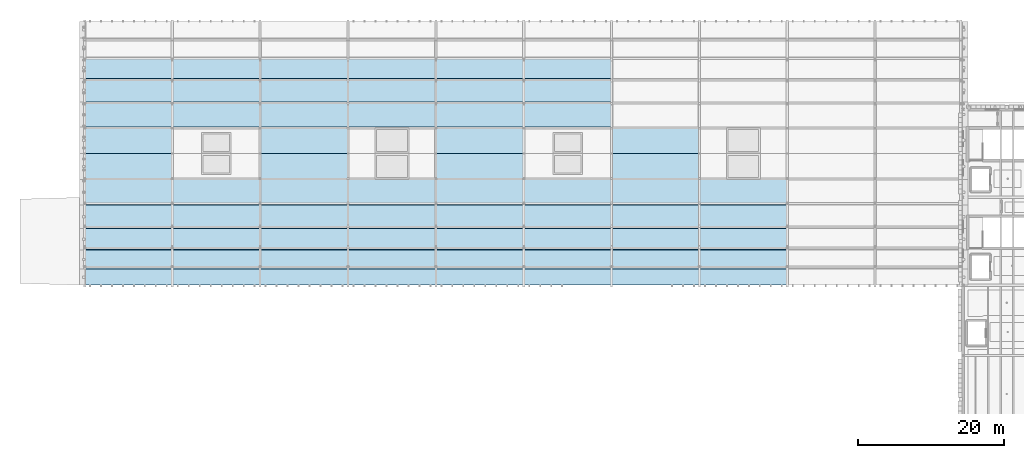
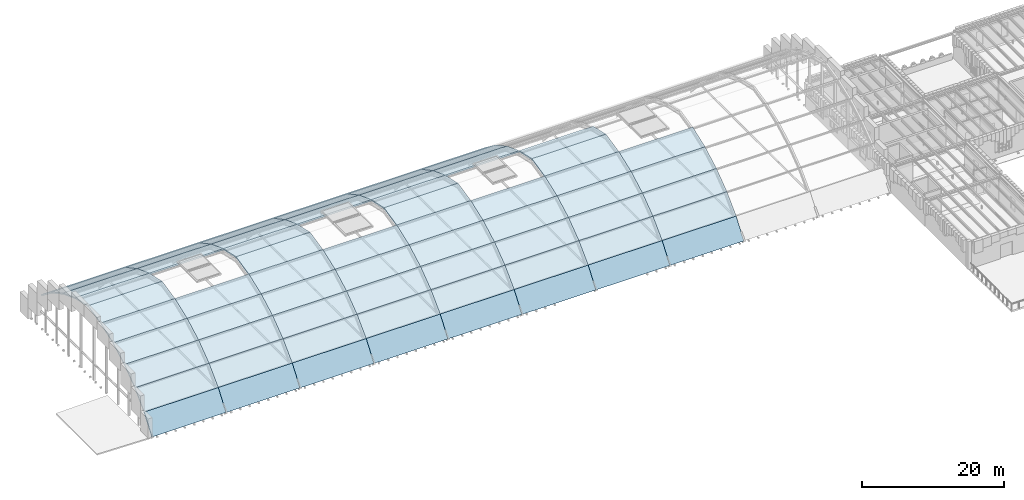
# One storey, part 19 of 35: 66 roofs.
"""IFC4 building model written with IfcOpenShell, lengths in metres."""

from ifc_helpers import new_model, si_unit, direction, frame, origin, place, context, subcontext, project, spatial, polyline, outline, extrude, material, layer, layer_set, type_object, element, save


model = new_model("IFC4")

# Units and contexts
model_context = context("Model", 3, precision=1e-05, world=origin(), true_north=direction((0.0, 1.0)))
body_context = subcontext(model_context, "Body", "Model", "MODEL_VIEW")
ifc_project = project(units=[si_unit("LENGTHUNIT", "METRE"), si_unit("AREAUNIT", "SQUARE_METRE"), si_unit("VOLUMEUNIT", "CUBIC_METRE"), si_unit("PLANEANGLEUNIT", "RADIAN"), si_unit("MASSUNIT", "GRAM", prefix="KILO")], contexts=[model_context])

# Site, building, storey
site_placement = place(None, origin())
site = spatial("IfcSite", under=ifc_project, at=site_placement, CompositionType="ELEMENT")
building_placement = place(site_placement, origin())
building = spatial("IfcBuilding", under=site, at=building_placement, Name="Zlatogorsky Bluff Art Gallery", CompositionType="ELEMENT")
storey_placement = place(building_placement, frame((0.0, 0.0, 23.39990234375)))
storey = spatial("IfcBuildingStorey", under=building, at=storey_placement, Name="L04", CompositionType="ELEMENT", Elevation=23.39990234375)

# Roofs
ifc_material = material(Name="Patinated Bronze Standing-Seam over Concrete C30/37 Shell", Category="concrete")
ifc_layer = layer(ifc_material, 0.219970703125)
ifc_layer_set = layer_set([ifc_layer], Name="Pointed Barrel Vault Roof RF-01")
roof_type = type_object("IfcRoofType", Name="Pointed Barrel Vault Roof RF-01", PredefinedType="BARREL_ROOF", material=ifc_layer_set)
roof_1_placement = place(storey_placement, frame((0.0, 84.0, 0.0), z_axis=(0.0, -0.799345913575, 0.600871126325), x_axis=(1.0, 0.0, 0.0)))
element("IfcRoof", 1, at=roof_1_placement, inside=storey, type_object=roof_type, Name="Pointed barrel vault standing-seam roof facet 1.1", PredefinedType="BARREL_ROOF", context=body_context, shape_type="SweptSolid", body=[
    extrude(outline(polyline([(0.0, 0.0), (12.0, 0.0), (12.0, 3.6754904620841193), (0.0, 3.6754904620841193), (0.0, 0.0)])), origin(), (0.0, 0.0, -1.0), 0.219970703125),
])
roof_2_placement = place(storey_placement, frame((0.0, 86.20849609375, 2.93798828125), z_axis=(0.0, -0.706575172141, 0.707637990864), x_axis=(1.0, 0.0, 0.0)))
element("IfcRoof", 2, at=roof_2_placement, inside=storey, type_object=roof_type, Name="Pointed barrel vault standing-seam roof facet 1.2", PredefinedType="BARREL_ROOF", context=body_context, shape_type="SweptSolid", body=[
    extrude(outline(polyline([(0.0, 0.0), (12.0, 0.0), (12.0, 3.6753680719572968), (0.0, 3.6753680719572968), (0.0, 0.0)])), origin(), (0.0, 0.0, -1.0), 0.219970703125),
])
roof_3_placement = place(storey_placement, frame((0.0, 88.809326171875, 5.534912109375), z_axis=(0.0, -0.599766152592, 0.800175332165), x_axis=(1.0, 0.0, 0.0)))
element("IfcRoof", 3, at=roof_3_placement, inside=storey, type_object=roof_type, Name="Pointed barrel vault standing-seam roof facet 1.3", PredefinedType="BARREL_ROOF", context=body_context, shape_type="SweptSolid", body=[
    extrude(outline(polyline([(0.0, 0.0), (12.0, 0.0), (12.0, 3.6753419538598413), (0.0, 3.6753419538598413), (0.0, 0.0)])), origin(), (0.0, 0.0, -1.0), 0.219970703125),
])
roof_4_placement = place(storey_placement, frame((0.0, 91.750244140625, 7.7392578125), z_axis=(0.0, -0.480926508686, 0.876760909965), x_axis=(1.0, 0.0, 0.0)))
element("IfcRoof", 4, at=roof_4_placement, inside=storey, type_object=roof_type, Name="Pointed barrel vault standing-seam roof facet 1.4", PredefinedType="BARREL_ROOF", context=body_context, shape_type="SweptSolid", body=[
    extrude(outline(polyline([(0.0, 0.0), (12.0, 0.0), (12.0, 3.675360149784664), (0.0, 3.675360149784664), (0.0, 0.0)])), origin(), (0.0, 0.0, -1.0), 0.219970703125),
])
roof_5_placement = place(storey_placement, frame((0.0, 94.97265625, 9.5068359375), z_axis=(0.0, -0.352520718057, 0.935804009043), x_axis=(1.0, 0.0, 0.0)))
element("IfcRoof", 5, at=roof_5_placement, inside=storey, type_object=roof_type, Name="Pointed barrel vault standing-seam roof facet 1.5", PredefinedType="BARREL_ROOF", context=body_context, shape_type="SweptSolid", body=[
    extrude(outline(polyline([(0.0, 0.0), (12.0, 0.0), (12.0, 3.6753990063777997), (0.0, 3.6753990063777997), (0.0, 0.0)])), origin(), (0.0, 0.0, -1.0), 0.219970703125),
])
for number, where, z_axis, x_axis, name in (
    (6, (0.0, 98.412109375, 10.802490234375), (0.0, -0.21700782178, 0.976169864976), (1.0, 0.0, 0.0), "Pointed barrel vault standing-seam roof facet 1.6"),
    (7, (0.0, 102.0, 11.60009765625), (0.0, 0.21700782178, 0.976169864976), (1.0, 0.0, 0.0), "Pointed barrel vault standing-seam roof facet 1.7"),
):
    element("IfcRoof", number, at=place(storey_placement, frame(where, z_axis=z_axis, x_axis=x_axis)), inside=storey, type_object=roof_type, Name=name, PredefinedType="BARREL_ROOF", context=body_context, shape_type="SweptSolid", body=[
        extrude(outline(polyline([(0.0, 0.0), (12.0, 0.0), (12.0, 3.675477756209793), (0.0, 3.675477756209793), (0.0, 0.0)])), origin(), (0.0, 0.0, -1.0), 0.219970703125),
    ])
roof_6_placement = place(storey_placement, frame((0.0, 105.587890625, 10.802490234375), z_axis=(0.0, 0.352520718057, 0.935804009043), x_axis=(1.0, 0.0, 0.0)))
element("IfcRoof", 8, at=roof_6_placement, inside=storey, type_object=roof_type, Name="Pointed barrel vault standing-seam roof facet 1.8", PredefinedType="BARREL_ROOF", context=body_context, shape_type="SweptSolid", body=[
    extrude(outline(polyline([(0.0, 0.0), (12.0, 0.0), (12.0, 3.6753990063777997), (0.0, 3.6753990063777997), (0.0, 0.0)])), origin(), (0.0, 0.0, -1.0), 0.219970703125),
])
roof_7_placement = place(storey_placement, frame((0.0, 109.02734375, 9.5068359375), z_axis=(0.0, 0.480926508686, 0.876760909965), x_axis=(1.0, 0.0, 0.0)))
element("IfcRoof", 9, at=roof_7_placement, inside=storey, type_object=roof_type, Name="Pointed barrel vault standing-seam roof facet 1.9", PredefinedType="BARREL_ROOF", context=body_context, shape_type="SweptSolid", body=[
    extrude(outline(polyline([(0.0, 0.0), (12.0, 0.0), (12.0, 3.675360149784664), (0.0, 3.675360149784664), (0.0, 0.0)])), origin(), (0.0, 0.0, -1.0), 0.219970703125),
])
roof_8_placement = place(storey_placement, frame((0.0, 112.249755859375, 7.7392578125), z_axis=(0.0, 0.599766152592, 0.800175332165), x_axis=(1.0, 0.0, 0.0)))
element("IfcRoof", 10, at=roof_8_placement, inside=storey, type_object=roof_type, Name="Pointed barrel vault standing-seam roof facet 1.10", PredefinedType="BARREL_ROOF", context=body_context, shape_type="SweptSolid", body=[
    extrude(outline(polyline([(0.0, 0.0), (12.0, 0.0), (12.0, 3.6753419538598413), (0.0, 3.6753419538598413), (0.0, 0.0)])), origin(), (0.0, 0.0, -1.0), 0.219970703125),
])
roof_9_placement = place(storey_placement, frame((12.0, 84.0, 0.0), z_axis=(0.0, -0.799345913575, 0.600871126325), x_axis=(1.0, 0.0, 0.0)))
element("IfcRoof", 11, at=roof_9_placement, inside=storey, type_object=roof_type, Name="Pointed barrel vault standing-seam roof facet 2.1", PredefinedType="BARREL_ROOF", context=body_context, shape_type="SweptSolid", body=[
    extrude(outline(polyline([(0.0, 0.0), (12.0, 0.0), (12.0, 3.6754904620841193), (0.0, 3.6754904620841193), (0.0, 0.0)])), origin(), (0.0, 0.0, -1.0), 0.219970703125),
])
roof_10_placement = place(storey_placement, frame((12.0, 86.20849609375, 2.93798828125), z_axis=(0.0, -0.706575172141, 0.707637990864), x_axis=(1.0, 0.0, 0.0)))
element("IfcRoof", 12, at=roof_10_placement, inside=storey, type_object=roof_type, Name="Pointed barrel vault standing-seam roof facet 2.2", PredefinedType="BARREL_ROOF", context=body_context, shape_type="SweptSolid", body=[
    extrude(outline(polyline([(0.0, 0.0), (12.0, 0.0), (12.0, 3.6753680719572968), (0.0, 3.6753680719572968), (0.0, 0.0)])), origin(), (0.0, 0.0, -1.0), 0.219970703125),
])
roof_11_placement = place(storey_placement, frame((12.0, 88.809326171875, 5.534912109375), z_axis=(0.0, -0.599766152592, 0.800175332165), x_axis=(1.0, 0.0, 0.0)))
element("IfcRoof", 13, at=roof_11_placement, inside=storey, type_object=roof_type, Name="Pointed barrel vault standing-seam roof facet 2.3", PredefinedType="BARREL_ROOF", context=body_context, shape_type="SweptSolid", body=[
    extrude(outline(polyline([(0.0, 0.0), (12.0, 0.0), (12.0, 3.6753419538598413), (0.0, 3.6753419538598413), (0.0, 0.0)])), origin(), (0.0, 0.0, -1.0), 0.219970703125),
])
roof_12_placement = place(storey_placement, frame((12.0, 91.750244140625, 7.7392578125), z_axis=(0.0, -0.480926508686, 0.876760909965), x_axis=(1.0, 0.0, 0.0)))
element("IfcRoof", 14, at=roof_12_placement, inside=storey, type_object=roof_type, Name="Pointed barrel vault standing-seam roof facet 2.4", PredefinedType="BARREL_ROOF", context=body_context, shape_type="SweptSolid", body=[
    extrude(outline(polyline([(0.0, 0.0), (12.0, 0.0), (12.0, 3.675360149784664), (0.0, 3.675360149784664), (0.0, 0.0)])), origin(), (0.0, 0.0, -1.0), 0.219970703125),
])
for number, where, z_axis, x_axis, name in (
    (15, (12.0, 94.97265625, 9.5068359375), (0.0, -0.352520718057, 0.935804009043), (1.0, 0.0, 0.0), "Pointed barrel vault standing-seam roof facet 2.5"),
    (16, (12.0, 105.587890625, 10.802490234375), (0.0, 0.352520718057, 0.935804009043), (1.0, 0.0, 0.0), "Pointed barrel vault standing-seam roof facet 2.8"),
):
    element("IfcRoof", number, at=place(storey_placement, frame(where, z_axis=z_axis, x_axis=x_axis)), inside=storey, type_object=roof_type, Name=name, PredefinedType="BARREL_ROOF", context=body_context, shape_type="SweptSolid", body=[
        extrude(outline(polyline([(0.0, 0.0), (12.0, 0.0), (12.0, 3.6753990063777997), (0.0, 3.6753990063777997), (0.0, 0.0)])), origin(), (0.0, 0.0, -1.0), 0.219970703125),
    ])
roof_13_placement = place(storey_placement, frame((12.0, 109.02734375, 9.5068359375), z_axis=(0.0, 0.480926508686, 0.876760909965), x_axis=(1.0, 0.0, 0.0)))
element("IfcRoof", 17, at=roof_13_placement, inside=storey, type_object=roof_type, Name="Pointed barrel vault standing-seam roof facet 2.9", PredefinedType="BARREL_ROOF", context=body_context, shape_type="SweptSolid", body=[
    extrude(outline(polyline([(0.0, 0.0), (12.0, 0.0), (12.0, 3.675360149784664), (0.0, 3.675360149784664), (0.0, 0.0)])), origin(), (0.0, 0.0, -1.0), 0.219970703125),
])
roof_14_placement = place(storey_placement, frame((12.0, 112.249755859375, 7.7392578125), z_axis=(0.0, 0.599766152592, 0.800175332165), x_axis=(1.0, 0.0, 0.0)))
element("IfcRoof", 18, at=roof_14_placement, inside=storey, type_object=roof_type, Name="Pointed barrel vault standing-seam roof facet 2.10", PredefinedType="BARREL_ROOF", context=body_context, shape_type="SweptSolid", body=[
    extrude(outline(polyline([(0.0, 0.0), (12.0, 0.0), (12.0, 3.6753419538598413), (0.0, 3.6753419538598413), (0.0, 0.0)])), origin(), (0.0, 0.0, -1.0), 0.219970703125),
])
roof_15_placement = place(storey_placement, frame((24.0, 84.0, 0.0), z_axis=(0.0, -0.799345913575, 0.600871126325), x_axis=(1.0, 0.0, 0.0)))
element("IfcRoof", 19, at=roof_15_placement, inside=storey, type_object=roof_type, Name="Pointed barrel vault standing-seam roof facet 3.1", PredefinedType="BARREL_ROOF", context=body_context, shape_type="SweptSolid", body=[
    extrude(outline(polyline([(0.0, 0.0), (12.0, 0.0), (12.0, 3.6754904620841193), (0.0, 3.6754904620841193), (0.0, 0.0)])), origin(), (0.0, 0.0, -1.0), 0.219970703125),
])
roof_16_placement = place(storey_placement, frame((24.0, 86.20849609375, 2.93798828125), z_axis=(0.0, -0.706575172141, 0.707637990864), x_axis=(1.0, 0.0, 0.0)))
element("IfcRoof", 20, at=roof_16_placement, inside=storey, type_object=roof_type, Name="Pointed barrel vault standing-seam roof facet 3.2", PredefinedType="BARREL_ROOF", context=body_context, shape_type="SweptSolid", body=[
    extrude(outline(polyline([(0.0, 0.0), (12.0, 0.0), (12.0, 3.6753680719572968), (0.0, 3.6753680719572968), (0.0, 0.0)])), origin(), (0.0, 0.0, -1.0), 0.219970703125),
])
roof_17_placement = place(storey_placement, frame((24.0, 88.809326171875, 5.534912109375), z_axis=(0.0, -0.599766152592, 0.800175332165), x_axis=(1.0, 0.0, 0.0)))
element("IfcRoof", 21, at=roof_17_placement, inside=storey, type_object=roof_type, Name="Pointed barrel vault standing-seam roof facet 3.3", PredefinedType="BARREL_ROOF", context=body_context, shape_type="SweptSolid", body=[
    extrude(outline(polyline([(0.0, 0.0), (12.0, 0.0), (12.0, 3.6753419538598413), (0.0, 3.6753419538598413), (0.0, 0.0)])), origin(), (0.0, 0.0, -1.0), 0.219970703125),
])
roof_18_placement = place(storey_placement, frame((24.0, 91.750244140625, 7.7392578125), z_axis=(0.0, -0.480926508686, 0.876760909965), x_axis=(1.0, 0.0, 0.0)))
element("IfcRoof", 22, at=roof_18_placement, inside=storey, type_object=roof_type, Name="Pointed barrel vault standing-seam roof facet 3.4", PredefinedType="BARREL_ROOF", context=body_context, shape_type="SweptSolid", body=[
    extrude(outline(polyline([(0.0, 0.0), (12.0, 0.0), (12.0, 3.675360149784664), (0.0, 3.675360149784664), (0.0, 0.0)])), origin(), (0.0, 0.0, -1.0), 0.219970703125),
])
roof_19_placement = place(storey_placement, frame((24.0, 94.97265625, 9.5068359375), z_axis=(0.0, -0.352520718057, 0.935804009043), x_axis=(1.0, 0.0, 0.0)))
element("IfcRoof", 23, at=roof_19_placement, inside=storey, type_object=roof_type, Name="Pointed barrel vault standing-seam roof facet 3.5", PredefinedType="BARREL_ROOF", context=body_context, shape_type="SweptSolid", body=[
    extrude(outline(polyline([(0.0, 0.0), (12.0, 0.0), (12.0, 3.6753990063777997), (0.0, 3.6753990063777997), (0.0, 0.0)])), origin(), (0.0, 0.0, -1.0), 0.219970703125),
])
for number, where, z_axis, x_axis, name in (
    (24, (24.0, 98.412109375, 10.802490234375), (0.0, -0.21700782178, 0.976169864976), (1.0, 0.0, 0.0), "Pointed barrel vault standing-seam roof facet 3.6"),
    (25, (24.0, 102.0, 11.60009765625), (0.0, 0.21700782178, 0.976169864976), (1.0, 0.0, 0.0), "Pointed barrel vault standing-seam roof facet 3.7"),
):
    element("IfcRoof", number, at=place(storey_placement, frame(where, z_axis=z_axis, x_axis=x_axis)), inside=storey, type_object=roof_type, Name=name, PredefinedType="BARREL_ROOF", context=body_context, shape_type="SweptSolid", body=[
        extrude(outline(polyline([(0.0, 0.0), (12.0, 0.0), (12.0, 3.675477756209793), (0.0, 3.675477756209793), (0.0, 0.0)])), origin(), (0.0, 0.0, -1.0), 0.219970703125),
    ])
roof_20_placement = place(storey_placement, frame((24.0, 105.587890625, 10.802490234375), z_axis=(0.0, 0.352520718057, 0.935804009043), x_axis=(1.0, 0.0, 0.0)))
element("IfcRoof", 26, at=roof_20_placement, inside=storey, type_object=roof_type, Name="Pointed barrel vault standing-seam roof facet 3.8", PredefinedType="BARREL_ROOF", context=body_context, shape_type="SweptSolid", body=[
    extrude(outline(polyline([(0.0, 0.0), (12.0, 0.0), (12.0, 3.6753990063777997), (0.0, 3.6753990063777997), (0.0, 0.0)])), origin(), (0.0, 0.0, -1.0), 0.219970703125),
])
roof_21_placement = place(storey_placement, frame((24.0, 109.02734375, 9.5068359375), z_axis=(0.0, 0.480926508686, 0.876760909965), x_axis=(1.0, 0.0, 0.0)))
element("IfcRoof", 27, at=roof_21_placement, inside=storey, type_object=roof_type, Name="Pointed barrel vault standing-seam roof facet 3.9", PredefinedType="BARREL_ROOF", context=body_context, shape_type="SweptSolid", body=[
    extrude(outline(polyline([(0.0, 0.0), (12.0, 0.0), (12.0, 3.675360149784664), (0.0, 3.675360149784664), (0.0, 0.0)])), origin(), (0.0, 0.0, -1.0), 0.219970703125),
])
roof_22_placement = place(storey_placement, frame((24.0, 112.249755859375, 7.7392578125), z_axis=(0.0, 0.599766152592, 0.800175332165), x_axis=(1.0, 0.0, 0.0)))
element("IfcRoof", 28, at=roof_22_placement, inside=storey, type_object=roof_type, Name="Pointed barrel vault standing-seam roof facet 3.10", PredefinedType="BARREL_ROOF", context=body_context, shape_type="SweptSolid", body=[
    extrude(outline(polyline([(0.0, 0.0), (12.0, 0.0), (12.0, 3.6753419538598413), (0.0, 3.6753419538598413), (0.0, 0.0)])), origin(), (0.0, 0.0, -1.0), 0.219970703125),
])
roof_23_placement = place(storey_placement, frame((36.0, 84.0, 0.0), z_axis=(0.0, -0.799345913575, 0.600871126325), x_axis=(1.0, 0.0, 0.0)))
element("IfcRoof", 29, at=roof_23_placement, inside=storey, type_object=roof_type, Name="Pointed barrel vault standing-seam roof facet 4.1", PredefinedType="BARREL_ROOF", context=body_context, shape_type="SweptSolid", body=[
    extrude(outline(polyline([(0.0, 0.0), (12.0, 0.0), (12.0, 3.6754904620841193), (0.0, 3.6754904620841193), (0.0, 0.0)])), origin(), (0.0, 0.0, -1.0), 0.219970703125),
])
roof_24_placement = place(storey_placement, frame((36.0, 86.20849609375, 2.93798828125), z_axis=(0.0, -0.706575172141, 0.707637990864), x_axis=(1.0, 0.0, 0.0)))
element("IfcRoof", 30, at=roof_24_placement, inside=storey, type_object=roof_type, Name="Pointed barrel vault standing-seam roof facet 4.2", PredefinedType="BARREL_ROOF", context=body_context, shape_type="SweptSolid", body=[
    extrude(outline(polyline([(0.0, 0.0), (12.0, 0.0), (12.0, 3.6753680719572968), (0.0, 3.6753680719572968), (0.0, 0.0)])), origin(), (0.0, 0.0, -1.0), 0.219970703125),
])
roof_25_placement = place(storey_placement, frame((36.0, 88.809326171875, 5.534912109375), z_axis=(0.0, -0.599766152592, 0.800175332165), x_axis=(1.0, 0.0, 0.0)))
element("IfcRoof", 31, at=roof_25_placement, inside=storey, type_object=roof_type, Name="Pointed barrel vault standing-seam roof facet 4.3", PredefinedType="BARREL_ROOF", context=body_context, shape_type="SweptSolid", body=[
    extrude(outline(polyline([(0.0, 0.0), (12.0, 0.0), (12.0, 3.6753419538598413), (0.0, 3.6753419538598413), (0.0, 0.0)])), origin(), (0.0, 0.0, -1.0), 0.219970703125),
])
roof_26_placement = place(storey_placement, frame((36.0, 91.750244140625, 7.7392578125), z_axis=(0.0, -0.480926508686, 0.876760909965), x_axis=(1.0, 0.0, 0.0)))
element("IfcRoof", 32, at=roof_26_placement, inside=storey, type_object=roof_type, Name="Pointed barrel vault standing-seam roof facet 4.4", PredefinedType="BARREL_ROOF", context=body_context, shape_type="SweptSolid", body=[
    extrude(outline(polyline([(0.0, 0.0), (12.0, 0.0), (12.0, 3.675360149784664), (0.0, 3.675360149784664), (0.0, 0.0)])), origin(), (0.0, 0.0, -1.0), 0.219970703125),
])
for number, where, z_axis, x_axis, name in (
    (33, (36.0, 94.97265625, 9.5068359375), (0.0, -0.352520718057, 0.935804009043), (1.0, 0.0, 0.0), "Pointed barrel vault standing-seam roof facet 4.5"),
    (34, (36.0, 105.587890625, 10.802490234375), (0.0, 0.352520718057, 0.935804009043), (1.0, 0.0, 0.0), "Pointed barrel vault standing-seam roof facet 4.8"),
):
    element("IfcRoof", number, at=place(storey_placement, frame(where, z_axis=z_axis, x_axis=x_axis)), inside=storey, type_object=roof_type, Name=name, PredefinedType="BARREL_ROOF", context=body_context, shape_type="SweptSolid", body=[
        extrude(outline(polyline([(0.0, 0.0), (12.0, 0.0), (12.0, 3.6753990063777997), (0.0, 3.6753990063777997), (0.0, 0.0)])), origin(), (0.0, 0.0, -1.0), 0.219970703125),
    ])
roof_27_placement = place(storey_placement, frame((36.0, 109.02734375, 9.5068359375), z_axis=(0.0, 0.480926508686, 0.876760909965), x_axis=(1.0, 0.0, 0.0)))
element("IfcRoof", 35, at=roof_27_placement, inside=storey, type_object=roof_type, Name="Pointed barrel vault standing-seam roof facet 4.9", PredefinedType="BARREL_ROOF", context=body_context, shape_type="SweptSolid", body=[
    extrude(outline(polyline([(0.0, 0.0), (12.0, 0.0), (12.0, 3.675360149784664), (0.0, 3.675360149784664), (0.0, 0.0)])), origin(), (0.0, 0.0, -1.0), 0.219970703125),
])
roof_28_placement = place(storey_placement, frame((36.0, 112.249755859375, 7.7392578125), z_axis=(0.0, 0.599766152592, 0.800175332165), x_axis=(1.0, 0.0, 0.0)))
element("IfcRoof", 36, at=roof_28_placement, inside=storey, type_object=roof_type, Name="Pointed barrel vault standing-seam roof facet 4.10", PredefinedType="BARREL_ROOF", context=body_context, shape_type="SweptSolid", body=[
    extrude(outline(polyline([(0.0, 0.0), (12.0, 0.0), (12.0, 3.6753419538598413), (0.0, 3.6753419538598413), (0.0, 0.0)])), origin(), (0.0, 0.0, -1.0), 0.219970703125),
])
roof_29_placement = place(storey_placement, frame((48.0, 84.0, 0.0), z_axis=(0.0, -0.799345913575, 0.600871126325), x_axis=(1.0, 0.0, 0.0)))
element("IfcRoof", 37, at=roof_29_placement, inside=storey, type_object=roof_type, Name="Pointed barrel vault standing-seam roof facet 5.1", PredefinedType="BARREL_ROOF", context=body_context, shape_type="SweptSolid", body=[
    extrude(outline(polyline([(0.0, 0.0), (12.0, 0.0), (12.0, 3.6754904620841193), (0.0, 3.6754904620841193), (0.0, 0.0)])), origin(), (0.0, 0.0, -1.0), 0.219970703125),
])
roof_30_placement = place(storey_placement, frame((48.0, 86.20849609375, 2.93798828125), z_axis=(0.0, -0.706575172141, 0.707637990864), x_axis=(1.0, 0.0, 0.0)))
element("IfcRoof", 38, at=roof_30_placement, inside=storey, type_object=roof_type, Name="Pointed barrel vault standing-seam roof facet 5.2", PredefinedType="BARREL_ROOF", context=body_context, shape_type="SweptSolid", body=[
    extrude(outline(polyline([(0.0, 0.0), (12.0, 0.0), (12.0, 3.6753680719572968), (0.0, 3.6753680719572968), (0.0, 0.0)])), origin(), (0.0, 0.0, -1.0), 0.219970703125),
])
roof_31_placement = place(storey_placement, frame((48.0, 88.809326171875, 5.534912109375), z_axis=(0.0, -0.599766152592, 0.800175332165), x_axis=(1.0, 0.0, 0.0)))
element("IfcRoof", 39, at=roof_31_placement, inside=storey, type_object=roof_type, Name="Pointed barrel vault standing-seam roof facet 5.3", PredefinedType="BARREL_ROOF", context=body_context, shape_type="SweptSolid", body=[
    extrude(outline(polyline([(0.0, 0.0), (12.0, 0.0), (12.0, 3.6753419538598413), (0.0, 3.6753419538598413), (0.0, 0.0)])), origin(), (0.0, 0.0, -1.0), 0.219970703125),
])
roof_32_placement = place(storey_placement, frame((48.0, 91.750244140625, 7.7392578125), z_axis=(0.0, -0.480926508686, 0.876760909965), x_axis=(1.0, 0.0, 0.0)))
element("IfcRoof", 40, at=roof_32_placement, inside=storey, type_object=roof_type, Name="Pointed barrel vault standing-seam roof facet 5.4", PredefinedType="BARREL_ROOF", context=body_context, shape_type="SweptSolid", body=[
    extrude(outline(polyline([(0.0, 0.0), (12.0, 0.0), (12.0, 3.675360149784664), (0.0, 3.675360149784664), (0.0, 0.0)])), origin(), (0.0, 0.0, -1.0), 0.219970703125),
])
roof_33_placement = place(storey_placement, frame((48.0, 94.97265625, 9.5068359375), z_axis=(0.0, -0.352520718057, 0.935804009043), x_axis=(1.0, 0.0, 0.0)))
element("IfcRoof", 41, at=roof_33_placement, inside=storey, type_object=roof_type, Name="Pointed barrel vault standing-seam roof facet 5.5", PredefinedType="BARREL_ROOF", context=body_context, shape_type="SweptSolid", body=[
    extrude(outline(polyline([(0.0, 0.0), (12.0, 0.0), (12.0, 3.6753990063777997), (0.0, 3.6753990063777997), (0.0, 0.0)])), origin(), (0.0, 0.0, -1.0), 0.219970703125),
])
for number, where, z_axis, x_axis, name in (
    (42, (48.0, 98.412109375, 10.802490234375), (0.0, -0.21700782178, 0.976169864976), (1.0, 0.0, 0.0), "Pointed barrel vault standing-seam roof facet 5.6"),
    (43, (48.0, 102.0, 11.60009765625), (0.0, 0.21700782178, 0.976169864976), (1.0, 0.0, 0.0), "Pointed barrel vault standing-seam roof facet 5.7"),
):
    element("IfcRoof", number, at=place(storey_placement, frame(where, z_axis=z_axis, x_axis=x_axis)), inside=storey, type_object=roof_type, Name=name, PredefinedType="BARREL_ROOF", context=body_context, shape_type="SweptSolid", body=[
        extrude(outline(polyline([(0.0, 0.0), (12.0, 0.0), (12.0, 3.675477756209793), (0.0, 3.675477756209793), (0.0, 0.0)])), origin(), (0.0, 0.0, -1.0), 0.219970703125),
    ])
roof_34_placement = place(storey_placement, frame((48.0, 105.587890625, 10.802490234375), z_axis=(0.0, 0.352520718057, 0.935804009043), x_axis=(1.0, 0.0, 0.0)))
element("IfcRoof", 44, at=roof_34_placement, inside=storey, type_object=roof_type, Name="Pointed barrel vault standing-seam roof facet 5.8", PredefinedType="BARREL_ROOF", context=body_context, shape_type="SweptSolid", body=[
    extrude(outline(polyline([(0.0, 0.0), (12.0, 0.0), (12.0, 3.6753990063777997), (0.0, 3.6753990063777997), (0.0, 0.0)])), origin(), (0.0, 0.0, -1.0), 0.219970703125),
])
roof_35_placement = place(storey_placement, frame((48.0, 109.02734375, 9.5068359375), z_axis=(0.0, 0.480926508686, 0.876760909965), x_axis=(1.0, 0.0, 0.0)))
element("IfcRoof", 45, at=roof_35_placement, inside=storey, type_object=roof_type, Name="Pointed barrel vault standing-seam roof facet 5.9", PredefinedType="BARREL_ROOF", context=body_context, shape_type="SweptSolid", body=[
    extrude(outline(polyline([(0.0, 0.0), (12.0, 0.0), (12.0, 3.675360149784664), (0.0, 3.675360149784664), (0.0, 0.0)])), origin(), (0.0, 0.0, -1.0), 0.219970703125),
])
roof_36_placement = place(storey_placement, frame((48.0, 112.249755859375, 7.7392578125), z_axis=(0.0, 0.599766152592, 0.800175332165), x_axis=(1.0, 0.0, 0.0)))
element("IfcRoof", 46, at=roof_36_placement, inside=storey, type_object=roof_type, Name="Pointed barrel vault standing-seam roof facet 5.10", PredefinedType="BARREL_ROOF", context=body_context, shape_type="SweptSolid", body=[
    extrude(outline(polyline([(0.0, 0.0), (12.0, 0.0), (12.0, 3.6753419538598413), (0.0, 3.6753419538598413), (0.0, 0.0)])), origin(), (0.0, 0.0, -1.0), 0.219970703125),
])
roof_37_placement = place(storey_placement, frame((60.0, 84.0, 0.0), z_axis=(0.0, -0.799345913575, 0.600871126325), x_axis=(1.0, 0.0, 0.0)))
element("IfcRoof", 47, at=roof_37_placement, inside=storey, type_object=roof_type, Name="Pointed barrel vault standing-seam roof facet 6.1", PredefinedType="BARREL_ROOF", context=body_context, shape_type="SweptSolid", body=[
    extrude(outline(polyline([(0.0, 0.0), (12.0, 0.0), (12.0, 3.6754904620841193), (0.0, 3.6754904620841193), (0.0, 0.0)])), origin(), (0.0, 0.0, -1.0), 0.219970703125),
])
roof_38_placement = place(storey_placement, frame((60.0, 86.20849609375, 2.93798828125), z_axis=(0.0, -0.706575172141, 0.707637990864), x_axis=(1.0, 0.0, 0.0)))
element("IfcRoof", 48, at=roof_38_placement, inside=storey, type_object=roof_type, Name="Pointed barrel vault standing-seam roof facet 6.2", PredefinedType="BARREL_ROOF", context=body_context, shape_type="SweptSolid", body=[
    extrude(outline(polyline([(0.0, 0.0), (12.0, 0.0), (12.0, 3.6753680719572968), (0.0, 3.6753680719572968), (0.0, 0.0)])), origin(), (0.0, 0.0, -1.0), 0.219970703125),
])
roof_39_placement = place(storey_placement, frame((60.0, 88.809326171875, 5.534912109375), z_axis=(0.0, -0.599766152592, 0.800175332165), x_axis=(1.0, 0.0, 0.0)))
element("IfcRoof", 49, at=roof_39_placement, inside=storey, type_object=roof_type, Name="Pointed barrel vault standing-seam roof facet 6.3", PredefinedType="BARREL_ROOF", context=body_context, shape_type="SweptSolid", body=[
    extrude(outline(polyline([(0.0, 0.0), (12.0, 0.0), (12.0, 3.6753419538598413), (0.0, 3.6753419538598413), (0.0, 0.0)])), origin(), (0.0, 0.0, -1.0), 0.219970703125),
])
roof_40_placement = place(storey_placement, frame((60.0, 91.750244140625, 7.7392578125), z_axis=(0.0, -0.480926508686, 0.876760909965), x_axis=(1.0, 0.0, 0.0)))
element("IfcRoof", 50, at=roof_40_placement, inside=storey, type_object=roof_type, Name="Pointed barrel vault standing-seam roof facet 6.4", PredefinedType="BARREL_ROOF", context=body_context, shape_type="SweptSolid", body=[
    extrude(outline(polyline([(0.0, 0.0), (12.0, 0.0), (12.0, 3.675360149784664), (0.0, 3.675360149784664), (0.0, 0.0)])), origin(), (0.0, 0.0, -1.0), 0.219970703125),
])
for number, where, z_axis, x_axis, name in (
    (51, (60.0, 94.97265625, 9.5068359375), (0.0, -0.352520718057, 0.935804009043), (1.0, 0.0, 0.0), "Pointed barrel vault standing-seam roof facet 6.5"),
    (52, (60.0, 105.587890625, 10.802490234375), (0.0, 0.352520718057, 0.935804009043), (1.0, 0.0, 0.0), "Pointed barrel vault standing-seam roof facet 6.8"),
):
    element("IfcRoof", number, at=place(storey_placement, frame(where, z_axis=z_axis, x_axis=x_axis)), inside=storey, type_object=roof_type, Name=name, PredefinedType="BARREL_ROOF", context=body_context, shape_type="SweptSolid", body=[
        extrude(outline(polyline([(0.0, 0.0), (12.0, 0.0), (12.0, 3.6753990063777997), (0.0, 3.6753990063777997), (0.0, 0.0)])), origin(), (0.0, 0.0, -1.0), 0.219970703125),
    ])
roof_41_placement = place(storey_placement, frame((60.0, 109.02734375, 9.5068359375), z_axis=(0.0, 0.480926508686, 0.876760909965), x_axis=(1.0, 0.0, 0.0)))
element("IfcRoof", 53, at=roof_41_placement, inside=storey, type_object=roof_type, Name="Pointed barrel vault standing-seam roof facet 6.9", PredefinedType="BARREL_ROOF", context=body_context, shape_type="SweptSolid", body=[
    extrude(outline(polyline([(0.0, 0.0), (12.0, 0.0), (12.0, 3.675360149784664), (0.0, 3.675360149784664), (0.0, 0.0)])), origin(), (0.0, 0.0, -1.0), 0.219970703125),
])
roof_42_placement = place(storey_placement, frame((60.0, 112.249755859375, 7.7392578125), z_axis=(0.0, 0.599766152592, 0.800175332165), x_axis=(1.0, 0.0, 0.0)))
element("IfcRoof", 54, at=roof_42_placement, inside=storey, type_object=roof_type, Name="Pointed barrel vault standing-seam roof facet 6.10", PredefinedType="BARREL_ROOF", context=body_context, shape_type="SweptSolid", body=[
    extrude(outline(polyline([(0.0, 0.0), (12.0, 0.0), (12.0, 3.6753419538598413), (0.0, 3.6753419538598413), (0.0, 0.0)])), origin(), (0.0, 0.0, -1.0), 0.219970703125),
])
roof_43_placement = place(storey_placement, frame((72.0, 84.0, 0.0), z_axis=(0.0, -0.799345913575, 0.600871126325), x_axis=(1.0, 0.0, 0.0)))
element("IfcRoof", 55, at=roof_43_placement, inside=storey, type_object=roof_type, Name="Pointed barrel vault standing-seam roof facet 7.1", PredefinedType="BARREL_ROOF", context=body_context, shape_type="SweptSolid", body=[
    extrude(outline(polyline([(0.0, 0.0), (12.0, 0.0), (12.0, 3.6754904620841193), (0.0, 3.6754904620841193), (0.0, 0.0)])), origin(), (0.0, 0.0, -1.0), 0.219970703125),
])
roof_44_placement = place(storey_placement, frame((72.0, 86.20849609375, 2.93798828125), z_axis=(0.0, -0.706575172141, 0.707637990864), x_axis=(1.0, 0.0, 0.0)))
element("IfcRoof", 56, at=roof_44_placement, inside=storey, type_object=roof_type, Name="Pointed barrel vault standing-seam roof facet 7.2", PredefinedType="BARREL_ROOF", context=body_context, shape_type="SweptSolid", body=[
    extrude(outline(polyline([(0.0, 0.0), (12.0, 0.0), (12.0, 3.6753680719572968), (0.0, 3.6753680719572968), (0.0, 0.0)])), origin(), (0.0, 0.0, -1.0), 0.219970703125),
])
roof_45_placement = place(storey_placement, frame((72.0, 88.809326171875, 5.534912109375), z_axis=(0.0, -0.599766152592, 0.800175332165), x_axis=(1.0, 0.0, 0.0)))
element("IfcRoof", 57, at=roof_45_placement, inside=storey, type_object=roof_type, Name="Pointed barrel vault standing-seam roof facet 7.3", PredefinedType="BARREL_ROOF", context=body_context, shape_type="SweptSolid", body=[
    extrude(outline(polyline([(0.0, 0.0), (12.0, 0.0), (12.0, 3.6753419538598413), (0.0, 3.6753419538598413), (0.0, 0.0)])), origin(), (0.0, 0.0, -1.0), 0.219970703125),
])
roof_46_placement = place(storey_placement, frame((72.0, 91.750244140625, 7.7392578125), z_axis=(0.0, -0.480926508686, 0.876760909965), x_axis=(1.0, 0.0, 0.0)))
element("IfcRoof", 58, at=roof_46_placement, inside=storey, type_object=roof_type, Name="Pointed barrel vault standing-seam roof facet 7.4", PredefinedType="BARREL_ROOF", context=body_context, shape_type="SweptSolid", body=[
    extrude(outline(polyline([(0.0, 0.0), (12.0, 0.0), (12.0, 3.675360149784664), (0.0, 3.675360149784664), (0.0, 0.0)])), origin(), (0.0, 0.0, -1.0), 0.219970703125),
])
roof_47_placement = place(storey_placement, frame((72.0, 94.97265625, 9.5068359375), z_axis=(0.0, -0.352520718057, 0.935804009043), x_axis=(1.0, 0.0, 0.0)))
element("IfcRoof", 59, at=roof_47_placement, inside=storey, type_object=roof_type, Name="Pointed barrel vault standing-seam roof facet 7.5", PredefinedType="BARREL_ROOF", context=body_context, shape_type="SweptSolid", body=[
    extrude(outline(polyline([(0.0, 0.0), (12.0, 0.0), (12.0, 3.6753990063777997), (0.0, 3.6753990063777997), (0.0, 0.0)])), origin(), (0.0, 0.0, -1.0), 0.219970703125),
])
for number, where, z_axis, x_axis, name in (
    (60, (72.0, 98.412109375, 10.802490234375), (0.0, -0.21700782178, 0.976169864976), (1.0, 0.0, 0.0), "Pointed barrel vault standing-seam roof facet 7.6"),
    (61, (72.0, 102.0, 11.60009765625), (0.0, 0.21700782178, 0.976169864976), (1.0, 0.0, 0.0), "Pointed barrel vault standing-seam roof facet 7.7"),
):
    element("IfcRoof", number, at=place(storey_placement, frame(where, z_axis=z_axis, x_axis=x_axis)), inside=storey, type_object=roof_type, Name=name, PredefinedType="BARREL_ROOF", context=body_context, shape_type="SweptSolid", body=[
        extrude(outline(polyline([(0.0, 0.0), (12.0, 0.0), (12.0, 3.675477756209793), (0.0, 3.675477756209793), (0.0, 0.0)])), origin(), (0.0, 0.0, -1.0), 0.219970703125),
    ])
roof_48_placement = place(storey_placement, frame((84.0, 84.0, 0.0), z_axis=(0.0, -0.799345913575, 0.600871126325), x_axis=(1.0, 0.0, 0.0)))
element("IfcRoof", 62, at=roof_48_placement, inside=storey, type_object=roof_type, Name="Pointed barrel vault standing-seam roof facet 8.1", PredefinedType="BARREL_ROOF", context=body_context, shape_type="SweptSolid", body=[
    extrude(outline(polyline([(0.0, 0.0), (12.0, 0.0), (12.0, 3.6754904620841193), (0.0, 3.6754904620841193), (0.0, 0.0)])), origin(), (0.0, 0.0, -1.0), 0.219970703125),
])
roof_49_placement = place(storey_placement, frame((84.0, 86.20849609375, 2.93798828125), z_axis=(0.0, -0.706575172141, 0.707637990864), x_axis=(1.0, 0.0, 0.0)))
element("IfcRoof", 63, at=roof_49_placement, inside=storey, type_object=roof_type, Name="Pointed barrel vault standing-seam roof facet 8.2", PredefinedType="BARREL_ROOF", context=body_context, shape_type="SweptSolid", body=[
    extrude(outline(polyline([(0.0, 0.0), (12.0, 0.0), (12.0, 3.6753680719572968), (0.0, 3.6753680719572968), (0.0, 0.0)])), origin(), (0.0, 0.0, -1.0), 0.219970703125),
])
roof_50_placement = place(storey_placement, frame((84.0, 88.809326171875, 5.534912109375), z_axis=(0.0, -0.599766152592, 0.800175332165), x_axis=(1.0, 0.0, 0.0)))
element("IfcRoof", 64, at=roof_50_placement, inside=storey, type_object=roof_type, Name="Pointed barrel vault standing-seam roof facet 8.3", PredefinedType="BARREL_ROOF", context=body_context, shape_type="SweptSolid", body=[
    extrude(outline(polyline([(0.0, 0.0), (12.0, 0.0), (12.0, 3.6753419538598413), (0.0, 3.6753419538598413), (0.0, 0.0)])), origin(), (0.0, 0.0, -1.0), 0.219970703125),
])
roof_51_placement = place(storey_placement, frame((84.0, 91.750244140625, 7.7392578125), z_axis=(0.0, -0.480926508686, 0.876760909965), x_axis=(1.0, 0.0, 0.0)))
element("IfcRoof", 65, at=roof_51_placement, inside=storey, type_object=roof_type, Name="Pointed barrel vault standing-seam roof facet 8.4", PredefinedType="BARREL_ROOF", context=body_context, shape_type="SweptSolid", body=[
    extrude(outline(polyline([(0.0, 0.0), (12.0, 0.0), (12.0, 3.675360149784664), (0.0, 3.675360149784664), (0.0, 0.0)])), origin(), (0.0, 0.0, -1.0), 0.219970703125),
])
roof_52_placement = place(storey_placement, frame((84.0, 94.97265625, 9.5068359375), z_axis=(0.0, -0.352520718057, 0.935804009043), x_axis=(1.0, 0.0, 0.0)))
element("IfcRoof", 66, at=roof_52_placement, inside=storey, type_object=roof_type, Name="Pointed barrel vault standing-seam roof facet 8.5", PredefinedType="BARREL_ROOF", context=body_context, shape_type="SweptSolid", body=[
    extrude(outline(polyline([(0.0, 0.0), (12.0, 0.0), (12.0, 3.6753990063777997), (0.0, 3.6753990063777997), (0.0, 0.0)])), origin(), (0.0, 0.0, -1.0), 0.219970703125),
])

save(model, "model.ifc")
